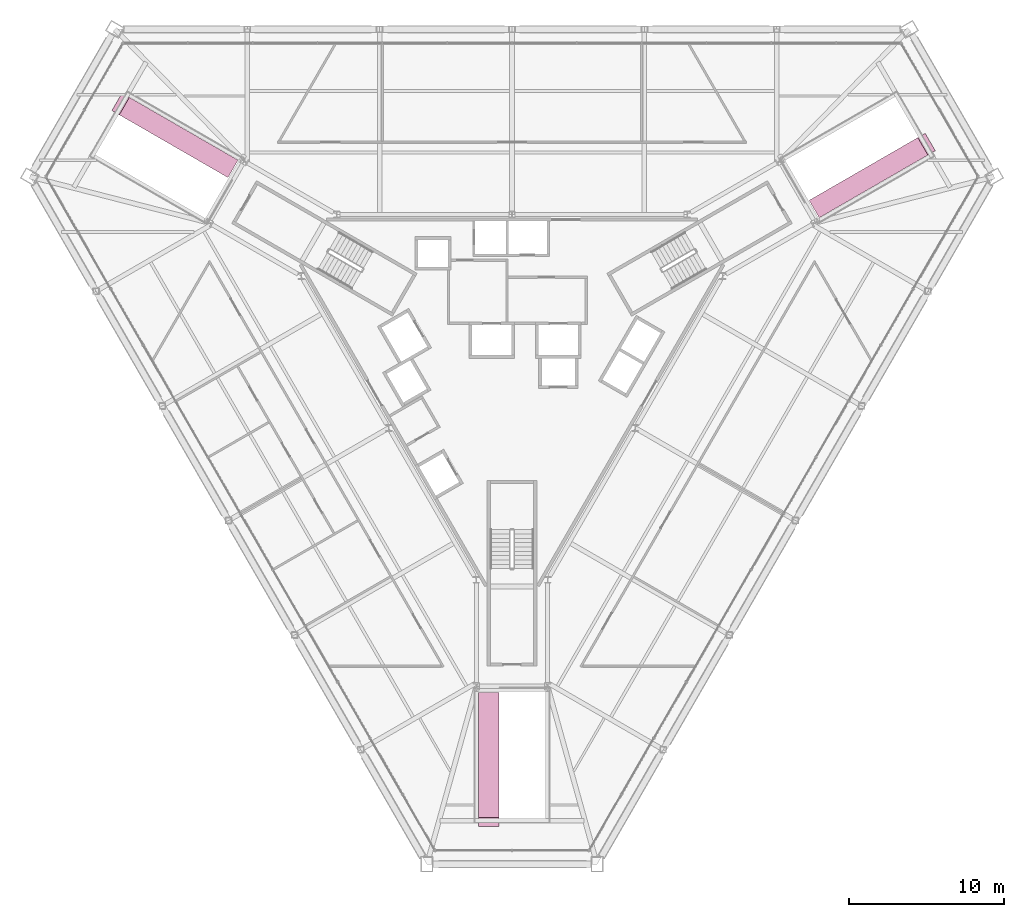
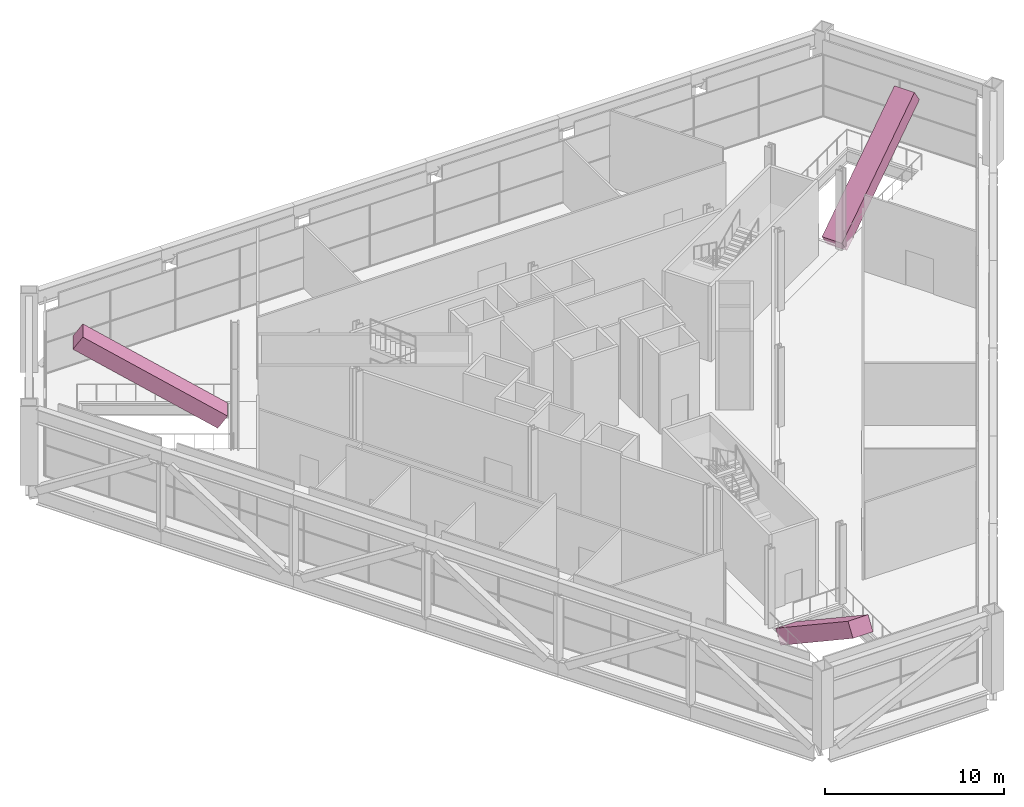
# One storey, part 20 of 20: 3 transport elements.
"""IFC4 building model written with IfcOpenShell, lengths in metres."""

from ifc_helpers import new_model, si_unit, direction, frame, origin, place, context, subcontext, project, spatial, polyline, outline, extrude, material, type_object, element, save


model = new_model("IFC4")

# Units and contexts
model_context = context("Model", 3, precision=1e-05, world=origin(), true_north=direction((0.0, 1.0)))
body_context = subcontext(model_context, "Body", "Model", "MODEL_VIEW")
ifc_project = project(units=[si_unit("LENGTHUNIT", "METRE"), si_unit("AREAUNIT", "SQUARE_METRE"), si_unit("VOLUMEUNIT", "CUBIC_METRE"), si_unit("PLANEANGLEUNIT", "RADIAN"), si_unit("MASSUNIT", "GRAM", prefix="KILO")], contexts=[model_context])

# Site, building, storey
site_placement = place(None, origin())
site = spatial("IfcSite", under=ifc_project, at=site_placement, CompositionType="ELEMENT")
building_placement = place(site_placement, origin())
building = spatial("IfcBuilding", under=site, at=building_placement, Name="Verrane Prism Tower", CompositionType="ELEMENT")
storey_placement = place(building_placement, frame((0.0, 0.0, 12.0)))
storey = spatial("IfcBuildingStorey", under=building, at=storey_placement, Name="L01", CompositionType="ELEMENT", Elevation=12.0)

# Transport elements
ifc_material = material(Name="Painted steel escalator truss", Category="steel")
transport_element_type = type_object("IfcTransportElementType", Name="ESC-1300 escalator truss 1000 deep", PredefinedType="ESCALATOR", material=ifc_material)
transport_element_1_placement = place(storey_placement, frame((19.859130859375, 8.983154296875, 0.0), z_axis=(-0.479932784255, -0.277176535344, 0.832368722894), x_axis=(0.720854767708, 0.416180368356, 0.554222252231)))
element("IfcTransportElement", 1, at=transport_element_1_placement, inside=storey, type_object=transport_element_type, Name="Escalator EW1 L01 to L02", PredefinedType="ESCALATOR", context=body_context, shape_type="SweptSolid", body=[
    extrude(outline(polyline([(0.0, 0.0), (9.743207390207024, 7.448468924975415e-17), (9.743053931242812, 1.2999861204090113), (-0.00015345896421059546, 1.299986120409011), (0.0, 0.0)])), origin(), (0.0, 0.0, -1.0), 1.0),
])
transport_element_2_placement = place(storey_placement, frame((-17.708984375, 12.70703125, 0.0), z_axis=(0.479943294556, -0.277152551968, 0.832370648779), x_axis=(-0.720856434257, 0.416181330737, 0.554219361928)))
element("IfcTransportElement", 2, at=transport_element_2_placement, inside=storey, type_object=transport_element_type, Name="Escalator EW2 L01 to L02", PredefinedType="ESCALATOR", context=body_context, shape_type="SweptSolid", body=[
    extrude(outline(polyline([(0.0, 0.0), (9.743207390148285, 1.7978782525240877e-16), (9.743360849229973, 1.299986119968758), (5.185231149001934e-05, 1.3001975490713769), (0.0, 0.0)])), origin(), (0.0, 0.0, -1.0), 1.0),
])
transport_element_3_placement = place(storey_placement, frame((-2.14990234375, -21.68994140625, 0.0), z_axis=(0.0, 0.5542143782, 0.832373968236), x_axis=(0.0, -0.832373968236, 0.5542143782)))
element("IfcTransportElement", 3, at=transport_element_3_placement, inside=storey, type_object=transport_element_type, Name="Escalator EW3 L01 to L02", PredefinedType="ESCALATOR", context=body_context, shape_type="SweptSolid", body=[
    extrude(outline(polyline([(0.0, 0.0), (9.74334581734574, 0.0), (9.74334581734574, 1.2998046875), (0.0, 1.2998046875), (0.0, 0.0)])), origin(), (0.0, 0.0, -1.0), 1.0),
])

save(model, "model.ifc")
